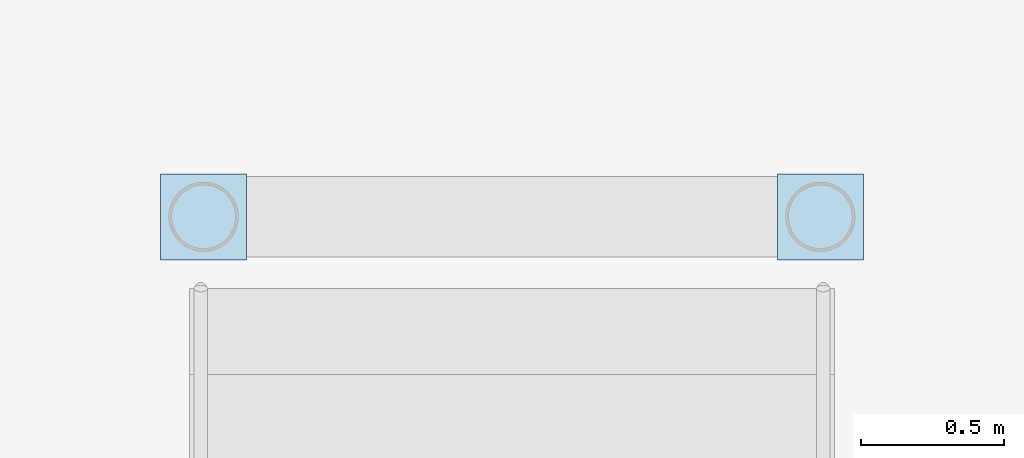
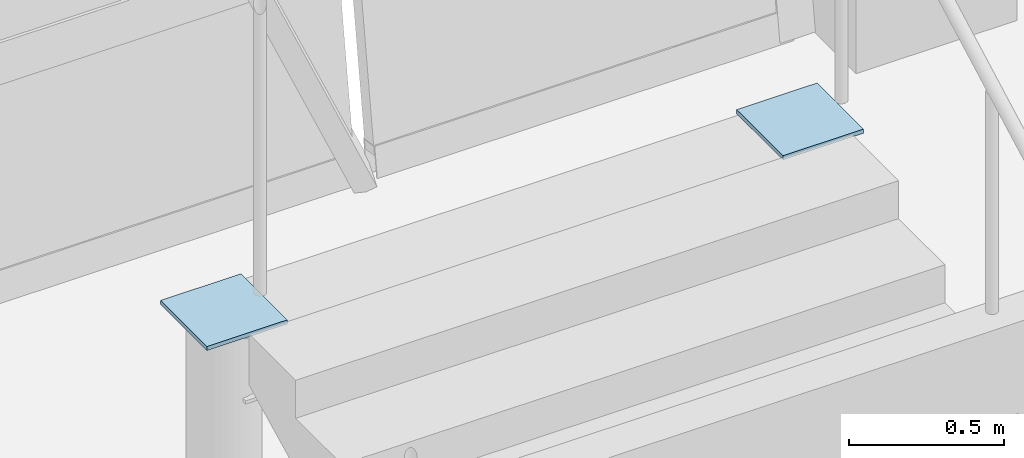
# One storey, part 89 of 108: 2 plates.
"""IFC4 building model written with IfcOpenShell, lengths in metres."""

from ifc_helpers import new_model, si_unit, direction, frame, origin, origin_2d, place, context, subcontext, project, spatial, rectangle, extrude, material, layer, layer_set, type_object, element, save


model = new_model("IFC4")

# Units and contexts
model_context = context("Model", 3, precision=1e-05, world=origin(), true_north=direction((0.0, 1.0)))
body_context = subcontext(model_context, "Body", "Model", "MODEL_VIEW")
ifc_project = project(units=[si_unit("LENGTHUNIT", "METRE"), si_unit("AREAUNIT", "SQUARE_METRE"), si_unit("VOLUMEUNIT", "CUBIC_METRE"), si_unit("PLANEANGLEUNIT", "RADIAN"), si_unit("MASSUNIT", "GRAM", prefix="KILO")], contexts=[model_context])

# Site, building, storey
site_placement = place(None, origin())
site = spatial("IfcSite", under=ifc_project, at=site_placement, CompositionType="ELEMENT")
building_placement = place(site_placement, origin())
building = spatial("IfcBuilding", under=site, at=building_placement, Name="Lykobir Media Centre", CompositionType="ELEMENT")
storey_placement = place(building_placement, frame((0.0, 0.0, 15.0)))
storey = spatial("IfcBuildingStorey", under=building, at=storey_placement, Name="L03", CompositionType="ELEMENT", Elevation=15.0)

# Plates
ifc_material = material(Name="Steel S355", Category="steel")
ifc_layer = layer(ifc_material, 0.01611328125, Name="Steel S355")
ifc_layer_set = layer_set([ifc_layer], Name="Steel S355")
plate_type = type_object("IfcPlateType", Name="CP-280", PredefinedType="SHEET", material=ifc_layer_set)
for number, where, z_axis, x_axis, name in (
    (1, (48.425048828125, 102.64990234375, 3.9599609375), (0.0, 0.0, 1.0), (1.0, 0.0, 0.0), "Valley post cap 7"),
    (2, (50.574951171875, 102.64990234375, 3.9599609375), (0.0, 0.0, 1.0), (1.0, 0.0, 0.0), "Valley post cap 8"),
):
    element("IfcPlate", number, at=place(storey_placement, frame(where, z_axis=z_axis, x_axis=x_axis)), inside=storey, type_object=plate_type, Name=name, PredefinedType="SHEET", context=body_context, shape_type="SweptSolid", body=[
        extrude(rectangle(XDim=0.300048828125, YDim=0.300048828125, at=origin_2d()), origin(), (0.0, 0.0, 1.0), 0.01611328125),
    ])

save(model, "model.ifc")
